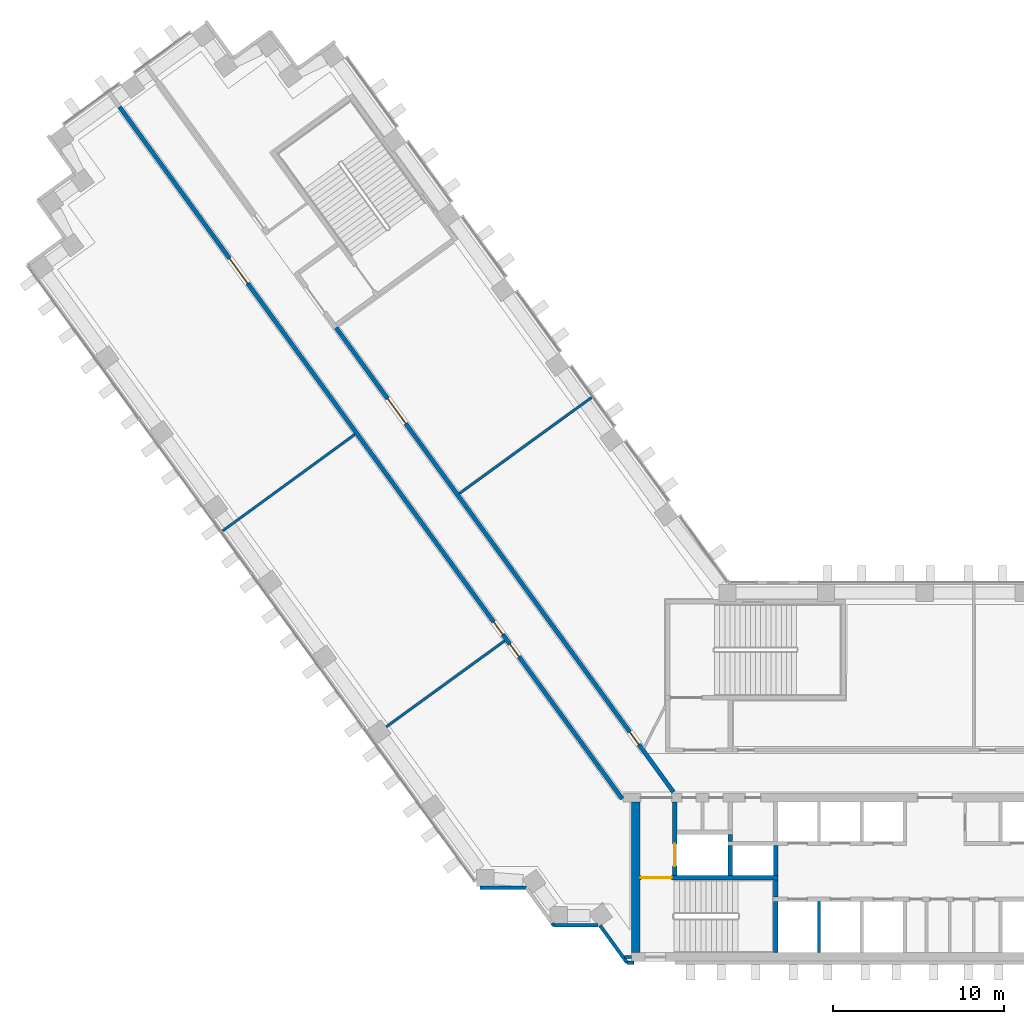
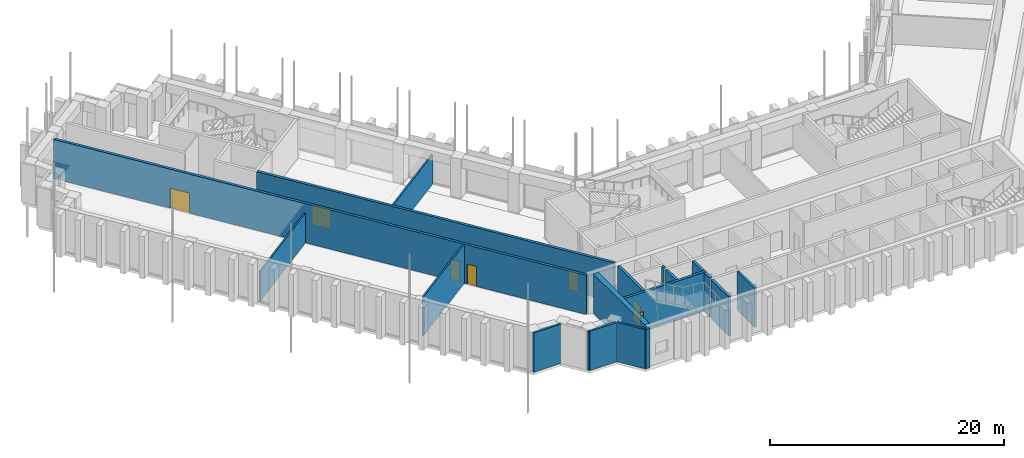
# One storey, part 9 of 18: 20 walls, 7 doors, 7 openings.
"""IFC4 building model written with IfcOpenShell, lengths in metres."""

from ifc_helpers import new_model, si_unit, direction, frame, frame_2d, origin, place, context, subcontext, project, spatial, rectangle, extrude, material, layer, layer_set, type_object, element, fill, save


model = new_model("IFC4")

# Units and contexts
model_context = context("Model", 3, precision=1e-05, world=origin(), true_north=direction((0.0, 1.0)))
body_context = subcontext(model_context, "Body", "Model", "MODEL_VIEW")
ifc_project = project(units=[si_unit("LENGTHUNIT", "METRE"), si_unit("AREAUNIT", "SQUARE_METRE"), si_unit("VOLUMEUNIT", "CUBIC_METRE"), si_unit("PLANEANGLEUNIT", "RADIAN"), si_unit("MASSUNIT", "GRAM", prefix="KILO")], contexts=[model_context])

# Site, building, storey
site_placement = place(None, origin())
site = spatial("IfcSite", under=ifc_project, at=site_placement, CompositionType="ELEMENT")
building_placement = place(site_placement, origin())
building = spatial("IfcBuilding", under=site, at=building_placement, Name="Quipu Civic Tower", CompositionType="ELEMENT")
storey_placement = place(building_placement, frame((0.0, 0.0, 16.0)))
storey = spatial("IfcBuildingStorey", under=building, at=storey_placement, Name="L03", CompositionType="ELEMENT", Elevation=16.0)

# Walls
ifc_material_1 = material(Name="Double gypsum plasterboard with mineral wool")
ifc_layer_1 = layer(ifc_material_1, 0.14990234375)
ifc_layer_set_1 = layer_set([ifc_layer_1], Name="Double gypsum plasterboard with mineral wool")
wall_type_1 = type_object("IfcWallType", Name="Acoustic partition 150 plasterboard", PredefinedType="PARTITIONING", material=ifc_layer_set_1)
wall_1_placement = place(storey_placement, frame((-27.38916015625, 7.702880859375, 0.0), z_axis=(0.0, 0.0, 1.0), x_axis=(-0.809054740315, -0.587733295955, 0.0)))
element("IfcWall", 1, at=wall_1_placement, inside=storey, type_object=wall_type_1, Name="Partition P04", PredefinedType="PARTITIONING", context=body_context, shape_type="SweptSolid", body=[
    extrude(rectangle(XDim=8.544677734375, YDim=0.14990234375, at=frame_2d((4.2724609375, 0.0))), origin(), (0.0, 0.0, 1.0), 4.10009765625),
])
wall_2_placement = place(storey_placement, frame((-43.8544921875, 14.118408203125, 0.0), z_axis=(0.0, 0.0, 1.0), x_axis=(0.807691251741, 0.589605666408, 0.0)))
element("IfcWall", 2, at=wall_2_placement, inside=storey, type_object=wall_type_1, Name="Partition P07", PredefinedType="PARTITIONING", context=body_context, shape_type="SweptSolid", body=[
    extrude(rectangle(XDim=9.55029296875, YDim=0.14990234375, at=frame_2d((4.775146484375, 0.0))), origin(), (0.0, 0.0, 1.0), 3.10009765625),
])
wall_3_placement = place(storey_placement, frame((-22.318359375, 21.905517578125, 0.0), z_axis=(0.0, 0.0, 1.0), x_axis=(-0.80898585166, -0.587828114175, 0.0)))
element("IfcWall", 3, at=wall_3_placement, inside=storey, type_object=wall_type_1, Name="Partition P10", PredefinedType="PARTITIONING", context=body_context, shape_type="SweptSolid", body=[
    extrude(rectangle(XDim=9.550048828125, YDim=0.14990234375, at=frame_2d((4.77490234375, 0.0))), origin(), (0.0, 0.0, 1.0), 3.10009765625),
])
ifc_material_2 = material(Name="Concrete C70/85", Category="concrete")
ifc_layer_2 = layer(ifc_material_2, 0.25)
ifc_layer_set_2 = layer_set([ifc_layer_2], Name="Concrete C70/85")
wall_type_2 = type_object("IfcWallType", Name="Core wall 250", PredefinedType="SHEAR", material=ifc_layer_set_2)
wall_4_placement = place(storey_placement, frame((-11.574951171875, -10.5, 0.0), z_axis=(0.0, 0.0, 1.0), x_axis=(0.0, 1.0, 0.0)))
element("IfcWall", 4, at=wall_4_placement, inside=storey, type_object=wall_type_2, Name="Core wall", PredefinedType="SHEAR", context=body_context, shape_type="SweptSolid", body=[
    extrude(rectangle(XDim=3.0, YDim=0.25, at=frame_2d((1.5, 0.0))), origin(), (0.0, 0.0, 1.0), 4.10009765625),
])
wall_5_placement = place(storey_placement, frame((-11.574951171875, -7.25, 0.0), z_axis=(0.0, 0.0, 1.0), x_axis=(0.0, 1.0, 0.0)))
element("IfcWall", 5, at=wall_5_placement, inside=storey, type_object=wall_type_2, Name="Core wall", PredefinedType="SHEAR", context=body_context, shape_type="SweptSolid", body=[
    extrude(rectangle(XDim=1.0, YDim=0.25, at=frame_2d((0.5, 0.0))), origin(), (0.0, 0.0, 1.0), 4.10009765625),
])

# Wall, opening, door
wall_6_placement = place(storey_placement, frame((-11.449951171875, -6.125, 0.0), z_axis=(0.0, 0.0, 1.0), x_axis=(-1.0, 0.0, 0.0)))
wall_6 = element("IfcWall", 6, at=wall_6_placement, inside=storey, type_object=wall_type_2, Name="Core wall", PredefinedType="SHEAR", context=body_context, shape_type="SweptSolid", body=[
    extrude(rectangle(XDim=8.050048828125, YDim=0.25, at=frame_2d((4.02490234375, 0.0))), origin(), (0.0, 0.0, 1.0), 4.10009765625),
])
opening_1_placement = place(wall_6_placement, frame((6.199951171875, 0.0, 0.0)))
opening_1 = element("IfcOpeningElement", 7, at=opening_1_placement, cuts=wall_6, Name="Opening CD-05", PredefinedType="OPENING", context=body_context, shape_type="SweptSolid", body=[
    extrude(rectangle(XDim=1.800048828125, YDim=2.10009765625, at=frame_2d((0.89990234375, 1.050048828125))), frame((0.0, 0.135009765625, 0.0), z_axis=(0.0, -1.0, 0.0), x_axis=(1.0, 0.0, 0.0)), (0.0, 0.0, 1.0), 0.27001953125),
])
ifc_material_3 = material(Name="Fire rated steel door", Category="steel")
door_type_1 = type_object("IfcDoorType", Name="Fire door FD90 double 1800 x 2100", OperationType="NOTDEFINED", PredefinedType="DOOR", material=ifc_material_3)
door_1_placement = place(opening_1_placement, origin())
door_1 = element("IfcDoor", 8, at=door_1_placement, inside=storey, type_object=door_type_1, Name="Door", OperationType="DOUBLE_DOOR_SINGLE_SWING", OverallHeight=2.10009765625, OverallWidth=1.800048828125, PredefinedType="DOOR", context=body_context, shape_type="SweptSolid", body=[
    extrude(rectangle(XDim=1.800048828125, YDim=2.10009765625, at=frame_2d((0.89990234375, 1.050048828125))), frame((0.0, 0.02490234375, 0.0), z_axis=(0.0, -1.0, 0.0), x_axis=(1.0, 0.0, 0.0)), (0.0, 0.0, 1.0), 0.050048828125),
])
fill(opening_1, door_1)

wall_7_placement = place(storey_placement, frame((-17.47509765625, -6.0, 0.0), z_axis=(0.0, 0.0, 1.0), x_axis=(0.0, 1.0, 0.0)))
wall_7 = element("IfcWall", 9, at=wall_7_placement, inside=storey, type_object=wall_type_2, Name="Core wall", PredefinedType="SHEAR", context=body_context, shape_type="SweptSolid", body=[
    extrude(rectangle(XDim=4.300048828125, YDim=0.25, at=frame_2d((2.14990234375, 0.0))), origin(), (0.0, 0.0, 1.0), 4.10009765625),
])
opening_2_placement = place(wall_7_placement, frame((0.550048828125, 0.0, 0.0)))
opening_2 = element("IfcOpeningElement", 10, at=opening_2_placement, cuts=wall_7, Name="Opening LD-FF1", PredefinedType="OPENING", context=body_context, shape_type="SweptSolid", body=[
    extrude(rectangle(XDim=1.300048828125, YDim=2.10009765625, at=frame_2d((0.64990234375, 1.050048828125))), frame((0.0, 0.135009765625, 0.0), z_axis=(0.0, -1.0, 0.0), x_axis=(1.0, 0.0, 0.0)), (0.0, 0.0, 1.0), 0.27001953125),
])
ifc_material_4 = material(Name="Stainless steel", Category="steel")
door_type_2 = type_object("IfcDoorType", Name="Lift landing door 1300 x 2100", OperationType="DOUBLE_DOOR_SLIDING", PredefinedType="DOOR", material=ifc_material_4)
door_2_placement = place(opening_2_placement, origin())
door_2 = element("IfcDoor", 11, at=door_2_placement, inside=storey, type_object=door_type_2, Name="Landing door FF1", OperationType="DOUBLE_DOOR_SLIDING", OverallHeight=2.10009765625, OverallWidth=1.300048828125, PredefinedType="DOOR", context=body_context, shape_type="SweptSolid", body=[
    extrude(rectangle(XDim=1.300048828125, YDim=2.10009765625, at=frame_2d((0.64990234375, 1.050048828125))), frame((0.0, 0.02490234375, 0.0), z_axis=(0.0, -1.0, 0.0), x_axis=(1.0, 0.0, 0.0)), (0.0, 0.0, 1.0), 0.050048828125),
])
fill(opening_2, door_2)

# Walls
for number, where, z_axis, x_axis, name in (
    (12, (-14.22509765625, -6.0, 0.0), (0.0, 0.0, 1.0), (0.0, 1.0, 0.0), "Core wall"),
    (13, (-11.574951171875, -6.0, 0.0), (0.0, 0.0, 1.0), (0.0, 1.0, 0.0), "Core wall"),
):
    element("IfcWall", number, at=place(storey_placement, frame(where, z_axis=z_axis, x_axis=x_axis)), inside=storey, type_object=wall_type_2, Name=name, PredefinedType="SHEAR", context=body_context, shape_type="SweptSolid", body=[
        extrude(rectangle(XDim=1.75, YDim=0.25, at=frame_2d((0.875, 0.0))), origin(), (0.0, 0.0, 1.0), 4.10009765625),
    ])
wall_8_placement = place(storey_placement, frame((-14.22509765625, -4.0, 0.0), z_axis=(0.0, 0.0, 1.0), x_axis=(0.0, 1.0, 0.0)))
element("IfcWall", 14, at=wall_8_placement, inside=storey, type_object=wall_type_2, Name="Core wall", PredefinedType="SHEAR", context=body_context, shape_type="SweptSolid", body=[
    extrude(rectangle(XDim=0.39990234375, YDim=0.25, at=frame_2d((0.199951171875, 0.0))), origin(), (0.0, 0.0, 1.0), 4.10009765625),
])
ifc_material_5 = material(Name="Concrete C70/85", Category="concrete")
ifc_layer_3 = layer(ifc_material_5, 0.5)
ifc_layer_set_3 = layer_set([ifc_layer_3], Name="Concrete C70/85")
wall_type_3 = type_object("IfcWallType", Name="Core wall 500", PredefinedType="SHEAR", material=ifc_layer_set_3)
wall_9_placement = place(storey_placement, frame((-19.75, -10.5, 0.0), z_axis=(0.0, 0.0, 1.0), x_axis=(0.0, 1.0, 0.0)))
element("IfcWall", 15, at=wall_9_placement, inside=storey, type_object=wall_type_3, Name="Core wall", PredefinedType="SHEAR", context=body_context, shape_type="SweptSolid", body=[
    extrude(rectangle(XDim=8.800048828125, YDim=0.5, at=frame_2d((4.39990234375, 0.0))), origin(), (0.0, 0.0, 1.0), 4.10009765625),
])

# Wall, openings, doors
ifc_material_6 = material(Name="Concrete C50/60", Category="concrete")
ifc_layer_4 = layer(ifc_material_6, 0.25)
ifc_layer_set_4 = layer_set([ifc_layer_4], Name="Concrete C50/60")
wall_type_4 = type_object("IfcWallType", Name="Corridor wall 250 concrete", PredefinedType="SOLIDWALL", material=ifc_layer_set_4)
wall_10_placement = place(storey_placement, frame((-20.531005859375, -1.5234375, 0.0), z_axis=(0.0, 0.0, 1.0), x_axis=(-0.587784522481, 0.809017524614, 0.0)))
wall_10 = element("IfcWall", 16, at=wall_10_placement, inside=storey, type_object=wall_type_4, Name="Corridor wall C02", PredefinedType="SOLIDWALL", context=body_context, shape_type="SweptSolid", body=[
    extrude(rectangle(XDim=49.912353515625, YDim=0.25, at=frame_2d((24.9560546875, 0.0))), origin(), (0.0, 0.0, 1.0), 4.10009765625),
])
opening_3_placement = place(wall_10_placement, frame((10.265869140625, 0.0, 0.0)))
opening_3 = element("IfcOpeningElement", 17, at=opening_3_placement, cuts=wall_10, Name="Opening D017", PredefinedType="OPENING", context=body_context, shape_type="SweptSolid", body=[
    extrude(rectangle(XDim=0.89990234375, YDim=2.10009765625, at=frame_2d((0.449951171875, 1.050048828125))), frame((0.0, 0.135009765625, 0.0), z_axis=(0.0, -1.0, 0.0), x_axis=(1.0, 0.0, 0.0)), (0.0, 0.0, 1.0), 0.27001953125),
])
opening_4_placement = place(wall_10_placement, frame((37.193359375, 0.0, 0.0)))
opening_4 = element("IfcOpeningElement", 18, at=opening_4_placement, cuts=wall_10, Name="Opening D015", PredefinedType="OPENING", context=body_context, shape_type="SweptSolid", body=[
    extrude(rectangle(XDim=1.800048828125, YDim=2.10009765625, at=frame_2d((0.89990234375, 1.050048828125))), frame((0.0, 0.135009765625, 0.0), z_axis=(0.0, -1.0, 0.0), x_axis=(1.0, 0.0, 0.0)), (0.0, 0.0, 1.0), 0.27001953125),
])
opening_5_placement = place(wall_10_placement, frame((11.865966796875, 0.0, 0.0)))
opening_5 = element("IfcOpeningElement", 19, at=opening_5_placement, cuts=wall_10, Name="Opening D016", PredefinedType="OPENING", context=body_context, shape_type="SweptSolid", body=[
    extrude(rectangle(XDim=0.89990234375, YDim=2.10009765625, at=frame_2d((0.449951171875, 1.050048828125))), frame((0.0, 0.135009765625, 0.0), z_axis=(0.0, -1.0, 0.0), x_axis=(1.0, 0.0, 0.0)), (0.0, 0.0, 1.0), 0.27001953125),
])
ifc_material_7 = material(Name="Fire rated timber door set with metal frame", Category="wood")
door_type_3 = type_object("IfcDoorType", Name="Double door 1800 x 2100 FD60", OperationType="DOUBLE_DOOR_SINGLE_SWING", PredefinedType="DOOR", material=ifc_material_7)
door_3_placement = place(opening_4_placement, origin())
door_3 = element("IfcDoor", 20, at=door_3_placement, inside=storey, type_object=door_type_3, Name="Door D015", OperationType="DOUBLE_DOOR_SINGLE_SWING", OverallHeight=2.10009765625, OverallWidth=1.800048828125, PredefinedType="DOOR", context=body_context, shape_type="SweptSolid", body=[
    extrude(rectangle(XDim=1.800048828125, YDim=2.10009765625, at=frame_2d((0.89990234375, 1.050048828125))), frame((0.0, 0.02490234375, 0.0), z_axis=(0.0, -1.0, 0.0), x_axis=(1.0, 0.0, 0.0)), (0.0, 0.0, 1.0), 0.050048828125),
])
fill(opening_4, door_3)
ifc_material_8 = material(Name="Fire rated timber door set with metal frame", Category="wood")
door_type_4 = type_object("IfcDoorType", Name="Single door 900 x 2100 FD60", OperationType="NOTDEFINED", PredefinedType="DOOR", material=ifc_material_8)
door_4_placement = place(opening_3_placement, origin())
door_4 = element("IfcDoor", 21, at=door_4_placement, inside=storey, type_object=door_type_4, Name="Door D017", OperationType="SINGLE_SWING_RIGHT", OverallHeight=2.10009765625, OverallWidth=0.89990234375, PredefinedType="DOOR", context=body_context, shape_type="SweptSolid", body=[
    extrude(rectangle(XDim=0.89990234375, YDim=2.10009765625, at=frame_2d((0.449951171875, 1.050048828125))), frame((0.0, 0.02490234375, 0.0), z_axis=(0.0, -1.0, 0.0), x_axis=(1.0, 0.0, 0.0)), (0.0, 0.0, 1.0), 0.050048828125),
])
fill(opening_3, door_4)
door_5_placement = place(opening_5_placement, origin())
door_5 = element("IfcDoor", 22, at=door_5_placement, inside=storey, type_object=door_type_4, Name="Door D016", OperationType="SINGLE_SWING_LEFT", OverallHeight=2.10009765625, OverallWidth=0.89990234375, PredefinedType="DOOR", context=body_context, shape_type="SweptSolid", body=[
    extrude(rectangle(XDim=0.89990234375, YDim=2.10009765625, at=frame_2d((0.449951171875, 1.050048828125))), frame((0.0, 0.02490234375, 0.0), z_axis=(0.0, -1.0, 0.0), x_axis=(1.0, 0.0, 0.0)), (0.0, 0.0, 1.0), 0.050048828125),
])
fill(opening_5, door_5)

wall_11_placement = place(storey_placement, frame((-37.231689453125, 25.9716796875, 0.0), z_axis=(0.0, 0.0, 1.0), x_axis=(0.587786323093, -0.809016216391, 0.0)))
wall_11 = element("IfcWall", 23, at=wall_11_placement, inside=storey, type_object=wall_type_4, Name="Corridor wall C04", PredefinedType="SOLIDWALL", context=body_context, shape_type="SweptSolid", body=[
    extrude(rectangle(XDim=33.4931640625, YDim=0.25, at=frame_2d((16.74658203125, 0.0))), origin(), (0.0, 0.0, 1.0), 4.10009765625),
])
opening_6_placement = place(wall_11_placement, frame((29.151611328125, 0.0, 0.0)))
opening_6 = element("IfcOpeningElement", 24, at=opening_6_placement, cuts=wall_11, Name="Opening D014", PredefinedType="OPENING", context=body_context, shape_type="SweptSolid", body=[
    extrude(rectangle(XDim=0.89990234375, YDim=2.10009765625, at=frame_2d((0.449951171875, 1.050048828125))), frame((0.0, 0.135009765625, 0.0), z_axis=(0.0, -1.0, 0.0), x_axis=(1.0, 0.0, 0.0)), (0.0, 0.0, 1.0), 0.27001953125),
])
opening_7_placement = place(wall_11_placement, frame((5.11279296875, 0.0, 0.0)))
opening_7 = element("IfcOpeningElement", 25, at=opening_7_placement, cuts=wall_11, Name="Opening D013", PredefinedType="OPENING", context=body_context, shape_type="SweptSolid", body=[
    extrude(rectangle(XDim=1.800048828125, YDim=2.10009765625, at=frame_2d((0.89990234375, 1.050048828125))), frame((0.0, 0.135009765625, 0.0), z_axis=(0.0, -1.0, 0.0), x_axis=(1.0, 0.0, 0.0)), (0.0, 0.0, 1.0), 0.27001953125),
])
door_6_placement = place(opening_7_placement, origin())
door_6 = element("IfcDoor", 26, at=door_6_placement, inside=storey, type_object=door_type_3, Name="Door D013", OperationType="DOUBLE_DOOR_SINGLE_SWING", OverallHeight=2.10009765625, OverallWidth=1.800048828125, PredefinedType="DOOR", context=body_context, shape_type="SweptSolid", body=[
    extrude(rectangle(XDim=1.800048828125, YDim=2.10009765625, at=frame_2d((0.89990234375, 1.050048828125))), frame((0.0, 0.02490234375, 0.0), z_axis=(0.0, -1.0, 0.0), x_axis=(1.0, 0.0, 0.0)), (0.0, 0.0, 1.0), 0.050048828125),
])
fill(opening_7, door_6)
door_7_placement = place(opening_6_placement, origin())
door_7 = element("IfcDoor", 27, at=door_7_placement, inside=storey, type_object=door_type_4, Name="Door D014", OperationType="SINGLE_SWING_RIGHT", OverallHeight=2.10009765625, OverallWidth=0.89990234375, PredefinedType="DOOR", context=body_context, shape_type="SweptSolid", body=[
    extrude(rectangle(XDim=0.89990234375, YDim=2.10009765625, at=frame_2d((0.449951171875, 1.050048828125))), frame((0.0, 0.02490234375, 0.0), z_axis=(0.0, -1.0, 0.0), x_axis=(1.0, 0.0, 0.0)), (0.0, 0.0, 1.0), 0.050048828125),
])
fill(opening_6, door_7)

# Walls
ifc_material_9 = material(Name="Precast concrete C40/50", Category="concrete")
wall_type_5 = type_object("IfcWallType", Name="Precast cladding wall", PredefinedType="SOLIDWALL", material=ifc_material_9)
wall_12_placement = place(storey_placement, frame((-28.829833984375, -6.71923828125, 0.0), z_axis=(0.0, 0.0, 1.0), x_axis=(1.0, 0.0, 0.0)))
element("IfcWall", 28, at=wall_12_placement, inside=storey, type_object=wall_type_5, Name="Precast cladding wall L03 P19", PredefinedType="SOLIDWALL", context=body_context, shape_type="SweptSolid", body=[
    extrude(rectangle(XDim=2.699951171875, YDim=0.199951171875, at=frame_2d((1.35009765625, 0.0))), origin(), (0.0, 0.0, 1.0), 4.10009765625),
])
wall_13_placement = place(storey_placement, frame((-24.623779296875, -8.78369140625, 0.0), z_axis=(0.0, 0.0, 1.0), x_axis=(0.586760218966, -0.809760733451, 0.0)))
element("IfcWall", 29, at=wall_13_placement, inside=storey, type_object=wall_type_5, Name="Precast cladding wall L03 P21", PredefinedType="SOLIDWALL", context=body_context, shape_type="SweptSolid", body=[
    extrude(rectangle(XDim=0.154296875, YDim=0.199951171875, at=frame_2d((0.0771484375, 0.0))), origin(), (0.0, 0.0, 1.0), 4.10009765625),
])
wall_14_placement = place(storey_placement, frame((-24.53076171875, -8.90380859375, 0.0), z_axis=(0.0, 0.0, 1.0), x_axis=(1.0, 0.0, 0.0)))
element("IfcWall", 30, at=wall_14_placement, inside=storey, type_object=wall_type_5, Name="Precast cladding wall L03 P22", PredefinedType="SOLIDWALL", context=body_context, shape_type="SweptSolid", body=[
    extrude(rectangle(XDim=2.58740234375, YDim=0.199951171875, at=frame_2d((1.293701171875, 0.0))), origin(), (0.0, 0.0, 1.0), 4.10009765625),
])
wall_15_placement = place(storey_placement, frame((-21.8330078125, -8.90869140625, 0.0), z_axis=(0.0, 0.0, 1.0), x_axis=(0.587766567315, -0.809030569476, 0.0)))
element("IfcWall", 31, at=wall_15_placement, inside=storey, type_object=wall_type_5, Name="Precast cladding wall L03 P23", PredefinedType="SOLIDWALL", context=body_context, shape_type="SweptSolid", body=[
    extrude(rectangle(XDim=2.687744140625, YDim=0.199951171875, at=frame_2d((1.34375, 0.0))), origin(), (0.0, 0.0, 1.0), 4.10009765625),
])
wall_16_placement = place(storey_placement, frame((-20.255859375, -11.087890625, 0.0), z_axis=(0.0, 0.0, 1.0), x_axis=(1.0, 0.0, 0.0)))
element("IfcWall", 32, at=wall_16_placement, inside=storey, type_object=wall_type_5, Name="Precast cladding wall L03 P24", PredefinedType="SOLIDWALL", context=body_context, shape_type="SweptSolid", body=[
    extrude(rectangle(XDim=0.40576171875, YDim=0.199951171875, at=frame_2d((0.202880859375, 0.0))), origin(), (0.0, 0.0, 1.0), 4.10009765625),
])
wall_17_placement = place(storey_placement, frame((-19.97998046875, -10.75, 0.0), z_axis=(0.0, 0.0, 1.0), x_axis=(-1.0, 0.0, 0.0)))
element("IfcWall", 33, at=wall_17_placement, inside=storey, type_object=wall_type_5, Name="Precast cladding return L03 W", PredefinedType="SOLIDWALL", context=body_context, shape_type="SweptSolid", body=[
    extrude(rectangle(XDim=0.41650390625, YDim=0.199951171875, at=frame_2d((0.208251953125, 0.0))), origin(), (0.0, 0.0, 1.0), 4.10009765625),
])
ifc_material_10 = material(Name="Concrete C40/50", Category="concrete")
ifc_layer_5 = layer(ifc_material_10, 0.199951171875)
ifc_layer_set_5 = layer_set([ifc_layer_5], Name="Concrete C40/50")
wall_type_6 = type_object("IfcWallType", Name="Shaft wall 200", PredefinedType="SOLIDWALL", material=ifc_layer_set_5)
wall_18_placement = place(storey_placement, frame((-9.050048828125, -10.5, 0.0), z_axis=(0.0, 0.0, 1.0), x_axis=(0.0, 1.0, 0.0)))
element("IfcWall", 34, at=wall_18_placement, inside=storey, type_object=wall_type_6, Name="Shaft wall", PredefinedType="SOLIDWALL", context=body_context, shape_type="SweptSolid", body=[
    extrude(rectangle(XDim=3.0, YDim=0.199951171875, at=frame_2d((1.5, 0.0))), origin(), (0.0, 0.0, 1.0), 4.10009765625),
])

save(model, "model.ifc")
